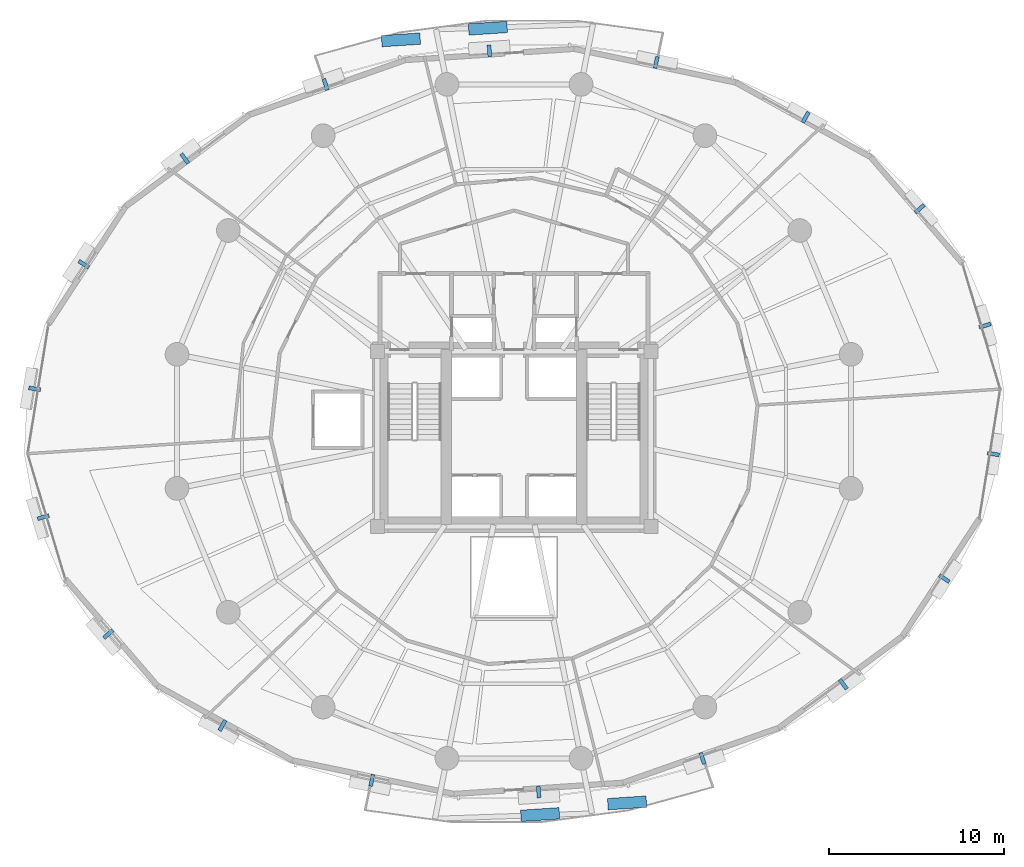
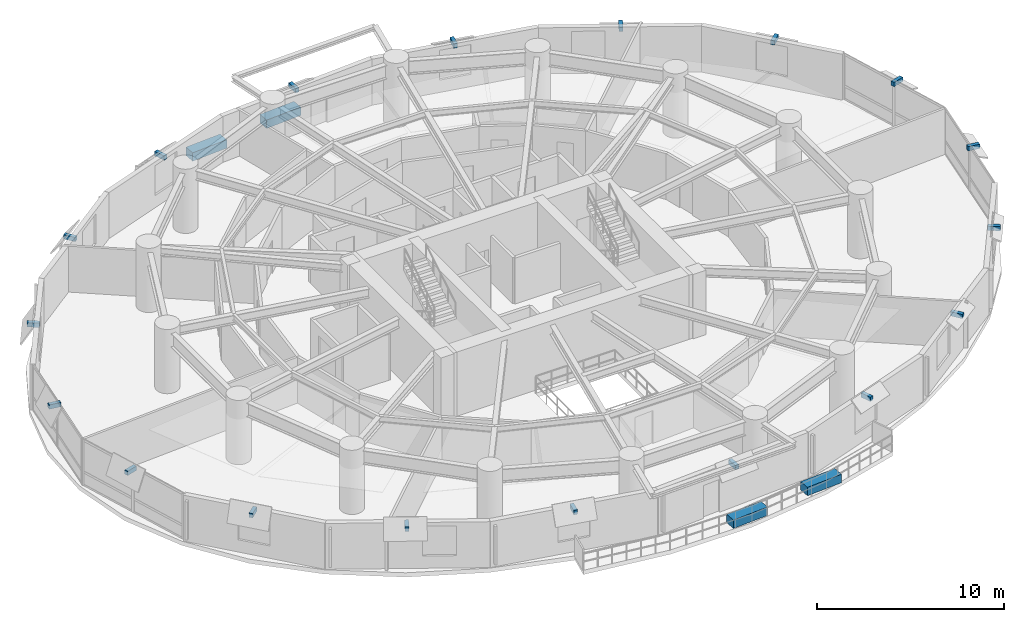
# One storey, part 13 of 16: 22 discrete accessories.
"""IFC4 building model written with IfcOpenShell, lengths in metres."""

from ifc_helpers import new_model, si_unit, direction, frame, origin, origin_2d, place, context, subcontext, project, spatial, rectangle, extrude, material, type_object, element, save


model = new_model("IFC4")

# Units and contexts
model_context = context("Model", 3, precision=1e-05, world=origin(), true_north=direction((0.0, 1.0)))
body_context = subcontext(model_context, "Body", "Model", "MODEL_VIEW")
ifc_project = project(units=[si_unit("LENGTHUNIT", "METRE"), si_unit("AREAUNIT", "SQUARE_METRE"), si_unit("VOLUMEUNIT", "CUBIC_METRE"), si_unit("PLANEANGLEUNIT", "RADIAN"), si_unit("MASSUNIT", "GRAM", prefix="KILO"), si_unit("THERMODYNAMICTEMPERATUREUNIT", "KELVIN"), si_unit("POWERUNIT", "WATT")], contexts=[model_context])

# Site, building, storey
site_placement = place(None, origin())
site = spatial("IfcSite", under=ifc_project, at=site_placement, CompositionType="ELEMENT")
building_placement = place(site_placement, origin())
building = spatial("IfcBuilding", under=site, at=building_placement, Name="Ocrelia Relay Tower", CompositionType="ELEMENT")
storey_placement = place(building_placement, frame((0.0, 0.0, 46.800048828125)))
storey = spatial("IfcBuildingStorey", under=building, at=storey_placement, Name="L10", CompositionType="ELEMENT", Elevation=46.800048828125)

# Discrete accessories
ifc_material_1 = material(Name="Precast concrete C40/50 planter with highland greenery", Category="concrete")
discrete_accessory_type_1 = type_object("IfcDiscreteAccessoryType", Name="ACC-BALC-PLANTER", PredefinedType="USERDEFINED", material=ifc_material_1)
for number, where, z_axis, x_axis, name in (
    (1, (32.51025390625, 48.427978515625, 0.0), (0.0, 0.0, 1.0), (0.997801849345, 0.066268163123, 0.0), "L10 Balcony Terracotta Planter with Greenery B1"),
    (2, (27.5498046875, 47.76220703125, 0.0), (0.0, 0.0, 1.0), (0.997801849345, 0.066268163123, 0.0), "L10 Balcony Terracotta Planter B1-2"),
    (3, (35.48974609375, 3.572021484375, 0.0), (0.0, 0.0, 1.0), (-0.997801849345, -0.066268163123, 0.0), "L10 Balcony Terracotta Planter with Greenery B2"),
    (4, (40.4501953125, 4.23779296875, 0.0), (0.0, 0.0, 1.0), (-0.997801849345, -0.066268163123, 0.0), "L10 Balcony Terracotta Planter B2-2"),
):
    element("IfcDiscreteAccessory", number, at=place(storey_placement, frame(where, z_axis=z_axis, x_axis=x_axis)), inside=storey, type_object=discrete_accessory_type_1, Name=name, ObjectType="PLANTER", PredefinedType="USERDEFINED", context=body_context, shape_type="SweptSolid", body=[
        extrude(rectangle(XDim=2.199951171875, YDim=0.64990234375, at=origin_2d()), origin(), (0.0, 0.0, 1.0), 0.550048828125),
    ])
ifc_material_2 = material(Name="Steel S355", Category="steel")
discrete_accessory_type_2 = type_object("IfcDiscreteAccessoryType", Name="ACC-VISOR-BRACKET", PredefinedType="BRACKET", material=ifc_material_2)
for number, where, z_axis, x_axis, name in (
    (5, (60.85693359375, 31.461181640625, 2.69970703125), (0.0, 0.0, 1.0), (-0.288370026457, 0.957519048291, 0.0), "L10 Visor Mounting Bracket 01"),
    (6, (57.1396484375, 38.12939453125, 2.69970703125), (0.0, 0.0, 1.0), (-0.653415692104, 0.75699929545, 0.0), "L10 Visor Mounting Bracket 02"),
    (7, (50.6328125, 43.34423828125, 2.69970703125), (0.0, 0.0, 1.0), (-0.875147378695, 0.483856451402, 0.0), "L10 Visor Mounting Bracket 03"),
    (8, (42.1103515625, 46.474609375, 2.69970703125), (0.0, 0.0, 1.0), (-0.978931545783, 0.20418870848, 0.0), "L10 Visor Mounting Bracket 04"),
    (9, (32.596435546875, 47.1298828125, 2.69970703125), (0.0, 0.0, 1.0), (-0.997801899814, -0.066267403205, 0.0), "L10 Visor Mounting Bracket 05"),
    (10, (23.2529296875, 45.22216796875, 2.69970703125), (0.0, 0.0, 1.0), (-0.943325809614, -0.331868071553, 0.0), "L10 Visor Mounting Bracket 06"),
    (11, (15.219482421875, 40.991943359375, 2.69970703125), (0.0, 0.0, 1.0), (-0.80346672279, -0.595349666472, 0.0), "L10 Visor Mounting Bracket 07"),
    (12, (9.45947265625, 34.96240234375, 2.69970703125), (0.0, 0.0, 1.0), (-0.547550950687, -0.836772344429, 0.0), "L10 Visor Mounting Bracket 08"),
    (13, (6.656494140625, 27.861083984375, 2.69970703125), (0.0, 0.0, 1.0), (-0.159201315878, -0.987246140039, 0.0), "L10 Visor Mounting Bracket 09"),
    (14, (7.14306640625, 20.538818359375, 2.69970703125), (0.0, 0.0, 1.0), (0.288370026457, -0.957519048291, 0.0), "L10 Visor Mounting Bracket 10"),
    (15, (10.8603515625, 13.87060546875, 2.69970703125), (0.0, 0.0, 1.0), (0.653415692104, -0.75699929545, 0.0), "L10 Visor Mounting Bracket 11"),
    (16, (17.3671875, 8.65576171875, 2.69970703125), (0.0, 0.0, 1.0), (0.875147378695, -0.483856451402, 0.0), "L10 Visor Mounting Bracket 12"),
    (17, (25.8896484375, 5.525390625, 2.69970703125), (0.0, 0.0, 1.0), (0.978931545783, -0.20418870848, 0.0), "L10 Visor Mounting Bracket 13"),
    (18, (35.403564453125, 4.8701171875, 2.69970703125), (0.0, 0.0, 1.0), (0.997801899814, 0.066267403205, 0.0), "L10 Visor Mounting Bracket 14"),
    (19, (44.7470703125, 6.77783203125, 2.69970703125), (0.0, 0.0, 1.0), (0.943325809614, 0.331868071553, 0.0), "L10 Visor Mounting Bracket 15"),
    (20, (52.780517578125, 11.008056640625, 2.69970703125), (0.0, 0.0, 1.0), (0.80346672279, 0.595349666472, 0.0), "L10 Visor Mounting Bracket 16"),
    (21, (58.54052734375, 17.03759765625, 2.69970703125), (0.0, 0.0, 1.0), (0.547550950687, 0.836772344429, 0.0), "L10 Visor Mounting Bracket 17"),
    (22, (61.343505859375, 24.138916015625, 2.69970703125), (0.0, 0.0, 1.0), (0.159201315878, 0.987246140039, 0.0), "L10 Visor Mounting Bracket 18"),
):
    element("IfcDiscreteAccessory", number, at=place(storey_placement, frame(where, z_axis=z_axis, x_axis=x_axis)), inside=storey, type_object=discrete_accessory_type_2, Name=name, PredefinedType="BRACKET", context=body_context, shape_type="SweptSolid", body=[
        extrude(rectangle(XDim=0.219970703125, YDim=0.679931640625, at=origin_2d()), origin(), (0.0, 0.0, 1.0), 0.280029296875),
    ])

save(model, "model.ifc")
